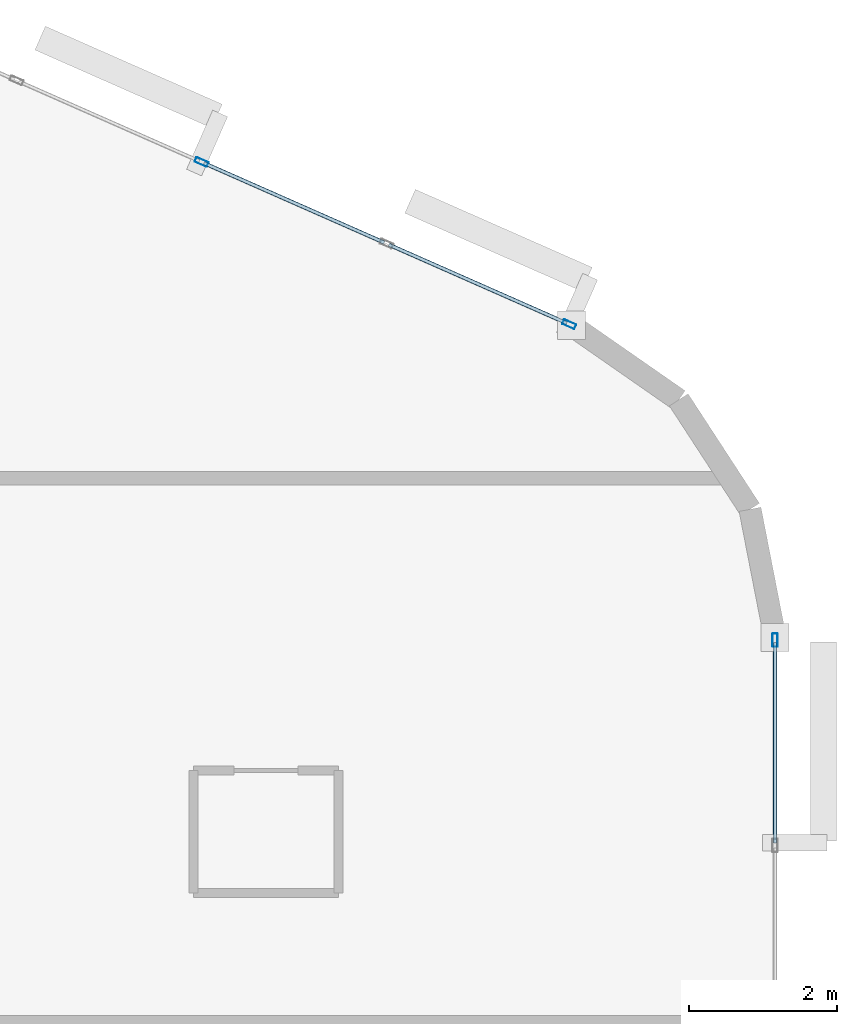
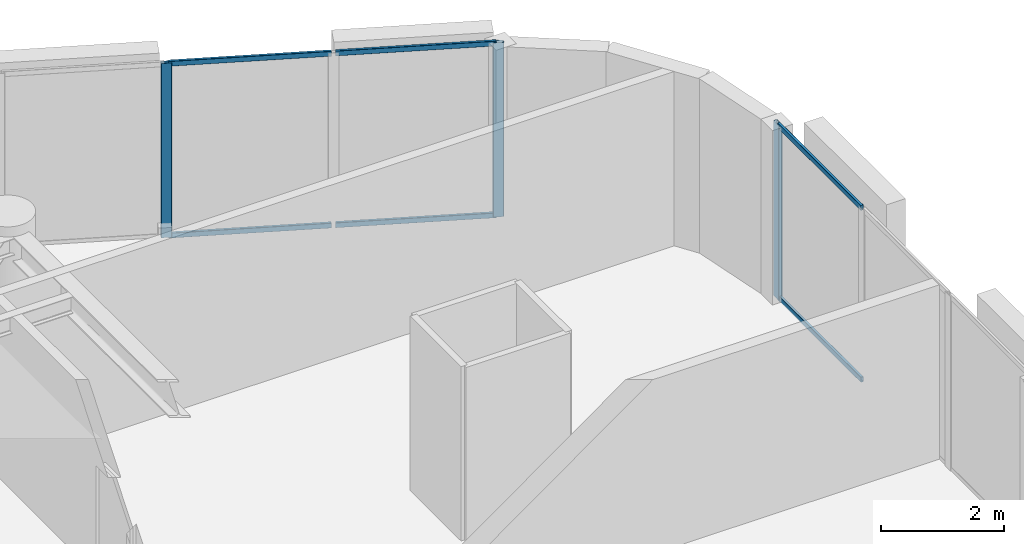
# One storey, part 6 of 12: 9 members, 2 elements without a shape of their own.
"""IFC4 building model written with IfcOpenShell, lengths in metres."""

from ifc_helpers import new_model, si_unit, direction, frame, origin, origin_2d, place, context, subcontext, project, spatial, hollow_rectangle, extrude, material, layer, layer_set, material_profile, profile_set, type_object, element, aggregate, save


model = new_model("IFC4")

# Units and contexts
model_context = context("Model", 3, precision=1e-05, world=origin(), true_north=direction((0.0, 1.0)))
body_context = subcontext(model_context, "Body", "Model", "MODEL_VIEW")
ifc_project = project(units=[si_unit("LENGTHUNIT", "METRE"), si_unit("AREAUNIT", "SQUARE_METRE"), si_unit("VOLUMEUNIT", "CUBIC_METRE"), si_unit("PLANEANGLEUNIT", "RADIAN"), si_unit("MASSUNIT", "GRAM", prefix="KILO")], contexts=[model_context])

# Site, building, storey
site_placement = place(None, origin())
site = spatial("IfcSite", under=ifc_project, at=site_placement, CompositionType="ELEMENT")
building_placement = place(site_placement, origin())
building = spatial("IfcBuilding", under=site, at=building_placement, Name="An Khanh Terracotta Commons", CompositionType="ELEMENT")
storey_placement = place(building_placement, frame((0.0, 0.0, 262.449951171875)))
storey = spatial("IfcBuildingStorey", under=building, at=storey_placement, Name="L68", CompositionType="ELEMENT", Elevation=262.449951171875)

# Curtain wall, member
ifc_material = material(Name="Anodised Aluminium 6063-T6", Category="aluminium")
ifc_layer = layer(ifc_material, 0.2099609375, Name="Anodised Aluminium 6063-T6")
ifc_layer_set = layer_set([ifc_layer], Name="Anodised Aluminium 6063-T6")
curtain_wall_type = type_object("IfcCurtainWallType", Name="CW-SYS-03", PredefinedType="USERDEFINED", material=ifc_layer_set)
curtain_wall_1_placement = place(storey_placement, origin())
curtain_wall_1 = element("IfcCurtainWall", 1, at=curtain_wall_1_placement, inside=storey, type_object=curtain_wall_type, Name="L68 CW-03 Unitised Curtain Wall CW-L68-12", ObjectType="UNITISED CURTAIN WALL", PredefinedType="USERDEFINED")
ifc_material_profile_1 = material_profile(ifc_material, hollow_rectangle(XDim=0.070068359375, YDim=0.179931640625, WallThickness=0.00390625, InnerFilletRadius=0.00390625, OuterFilletRadius=0.008056640625, at=origin_2d()), Name="RHS180x70x4")
ifc_profile_set_1 = profile_set([ifc_material_profile_1], Name="Anodised Aluminium 6063-T6")
member_type_1 = type_object("IfcMemberType", Name="CWM-RHS180x70x4", PredefinedType="MULLION", material=ifc_profile_set_1)
member_1_placement = place(storey_placement, frame((75.60009765625, 28.1669921875, 0.0), z_axis=(0.0, 0.0, 1.0), x_axis=(-1.0, 0.0, 0.0)))
member_1 = element("IfcMember", 2, at=member_1_placement, type_object=member_type_1, Name="CW-03 mullion 4", PredefinedType="MULLION", context=body_context, shape_type="SweptSolid", body=[
    extrude(hollow_rectangle(XDim=0.070068359375, YDim=0.179931640625, WallThickness=0.00390625, InnerFilletRadius=0.00390625, OuterFilletRadius=0.008056640625, at=origin_2d()), origin(), (0.0, 0.0, 1.0), 3.449951171875),
])

# Curtain wall, members
curtain_wall_2_placement = place(storey_placement, origin())
curtain_wall_2 = element("IfcCurtainWall", 3, at=curtain_wall_2_placement, inside=storey, type_object=curtain_wall_type, Name="L68 CW-03 Unitised Curtain Wall CW-L68-16", ObjectType="UNITISED CURTAIN WALL", PredefinedType="USERDEFINED")
member_2_placement = place(storey_placement, frame((72.824951171875, 32.424072265625, 0.0), z_axis=(0.0, 0.0, 1.0), x_axis=(-0.403676354285, -0.914901853201, 0.0)))
member_2 = element("IfcMember", 4, at=member_2_placement, type_object=member_type_1, Name="CW-03 mullion 1", PredefinedType="MULLION", context=body_context, shape_type="SweptSolid", body=[
    extrude(hollow_rectangle(XDim=0.070068359375, YDim=0.179931640625, WallThickness=0.00390625, InnerFilletRadius=0.00390625, OuterFilletRadius=0.008056640625, at=origin_2d()), origin(), (0.0, 0.0, 1.0), 3.449951171875),
])
member_3_placement = place(storey_placement, frame((67.8720703125, 34.609619140625, 0.0), z_axis=(0.0, 0.0, 1.0), x_axis=(-0.403676354285, -0.914901853201, 0.0)))
member_3 = element("IfcMember", 5, at=member_3_placement, type_object=member_type_1, Name="CW-03 mullion 3", PredefinedType="MULLION", context=body_context, shape_type="SweptSolid", body=[
    extrude(hollow_rectangle(XDim=0.070068359375, YDim=0.179931640625, WallThickness=0.00390625, InnerFilletRadius=0.00390625, OuterFilletRadius=0.008056640625, at=origin_2d()), origin(), (0.0, 0.0, 1.0), 3.449951171875),
])

# Member
ifc_material_profile_2 = material_profile(ifc_material, hollow_rectangle(XDim=0.050048828125, YDim=0.10009765625, WallThickness=0.003173828125, InnerFilletRadius=0.003173828125, OuterFilletRadius=0.00634765625, at=origin_2d()), Name="RHS100x50x3.2")
ifc_profile_set_2 = profile_set([ifc_material_profile_2], Name="Anodised Aluminium 6063-T6")
member_type_2 = type_object("IfcMemberType", Name="CWT-RHS100x50x3.2", PredefinedType="USERDEFINED", material=ifc_profile_set_2)
member_4_placement = place(storey_placement, frame((75.60009765625, 25.435546875, 0.025146484375), z_axis=(0.0, 1.0, 0.0), x_axis=(-1.0, 0.0, 0.0)))
member_4 = element("IfcMember", 6, at=member_4_placement, type_object=member_type_2, Name="CW-03 transom 3.1", ObjectType="TRANSOM", PredefinedType="USERDEFINED", context=body_context, shape_type="SweptSolid", body=[
    extrude(hollow_rectangle(XDim=0.050048828125, YDim=0.10009765625, WallThickness=0.003173828125, InnerFilletRadius=0.003173828125, OuterFilletRadius=0.00634765625, at=origin_2d()), origin(), (0.0, 0.0, 1.0), 2.696533203125),
])

member_5_placement = place(storey_placement, frame((75.60009765625, 25.435546875, 3.425048828125), z_axis=(0.0, 1.0, 0.0), x_axis=(-1.0, 0.0, 0.0)))
member_5 = element("IfcMember", 7, at=member_5_placement, type_object=member_type_2, Name="CW-03 transom 3.2", ObjectType="TRANSOM", PredefinedType="USERDEFINED", context=body_context, shape_type="SweptSolid", body=[
    extrude(hollow_rectangle(XDim=0.050048828125, YDim=0.10009765625, WallThickness=0.003173828125, InnerFilletRadius=0.003173828125, OuterFilletRadius=0.00634765625, at=origin_2d()), origin(), (0.0, 0.0, 1.0), 2.696533203125),
])

aggregate(curtain_wall_1, [member_1, member_4, member_5])

member_6_placement = place(storey_placement, frame((72.79296875, 32.438232421875, 0.025146484375), z_axis=(-0.914903627858, 0.403672332137, 0.0), x_axis=(-0.403672332137, -0.914903627858, 0.0)))
member_6 = element("IfcMember", 8, at=member_6_placement, type_object=member_type_2, Name="CW-03 transom 1.1", ObjectType="TRANSOM", PredefinedType="USERDEFINED", context=body_context, shape_type="SweptSolid", body=[
    extrude(hollow_rectangle(XDim=0.050048828125, YDim=0.10009765625, WallThickness=0.003173828125, InnerFilletRadius=0.003173828125, OuterFilletRadius=0.00634765625, at=origin_2d()), origin(), (0.0, 0.0, 1.0), 2.619384765625),
])

member_7_placement = place(storey_placement, frame((72.79296875, 32.438232421875, 3.425048828125), z_axis=(-0.914903627858, 0.403672332137, 0.0), x_axis=(-0.403672332137, -0.914903627858, 0.0)))
member_7 = element("IfcMember", 9, at=member_7_placement, type_object=member_type_2, Name="CW-03 transom 1.2", ObjectType="TRANSOM", PredefinedType="USERDEFINED", context=body_context, shape_type="SweptSolid", body=[
    extrude(hollow_rectangle(XDim=0.050048828125, YDim=0.10009765625, WallThickness=0.003173828125, InnerFilletRadius=0.003173828125, OuterFilletRadius=0.00634765625, at=origin_2d()), origin(), (0.0, 0.0, 1.0), 2.619384765625),
])

member_8_placement = place(storey_placement, frame((70.33251953125, 33.52392578125, 0.025146484375), z_axis=(-0.914896820753, 0.403687759755, 0.0), x_axis=(-0.403687759755, -0.914896820753, 0.0)))
member_8 = element("IfcMember", 10, at=member_8_placement, type_object=member_type_2, Name="CW-03 transom 2.1", ObjectType="TRANSOM", PredefinedType="USERDEFINED", context=body_context, shape_type="SweptSolid", body=[
    extrude(hollow_rectangle(XDim=0.050048828125, YDim=0.10009765625, WallThickness=0.003173828125, InnerFilletRadius=0.003173828125, OuterFilletRadius=0.00634765625, at=origin_2d()), origin(), (0.0, 0.0, 1.0), 2.654296875),
])

member_9_placement = place(storey_placement, frame((70.33251953125, 33.52392578125, 3.425048828125), z_axis=(-0.914896820753, 0.403687759755, 0.0), x_axis=(-0.403687759755, -0.914896820753, 0.0)))
member_9 = element("IfcMember", 11, at=member_9_placement, type_object=member_type_2, Name="CW-03 transom 2.2", ObjectType="TRANSOM", PredefinedType="USERDEFINED", context=body_context, shape_type="SweptSolid", body=[
    extrude(hollow_rectangle(XDim=0.050048828125, YDim=0.10009765625, WallThickness=0.003173828125, InnerFilletRadius=0.003173828125, OuterFilletRadius=0.00634765625, at=origin_2d()), origin(), (0.0, 0.0, 1.0), 2.654296875),
])

aggregate(curtain_wall_2, [member_2, member_3, member_6, member_7, member_8, member_9])

save(model, "model.ifc")
